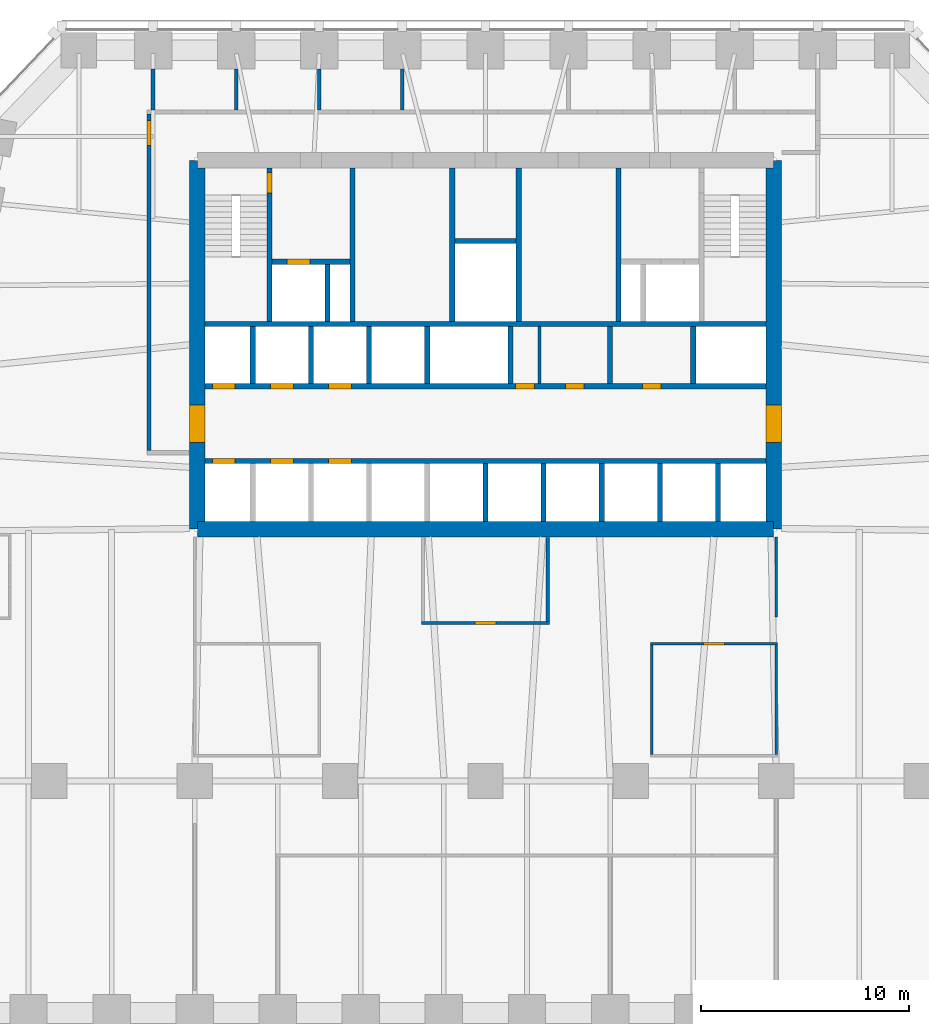
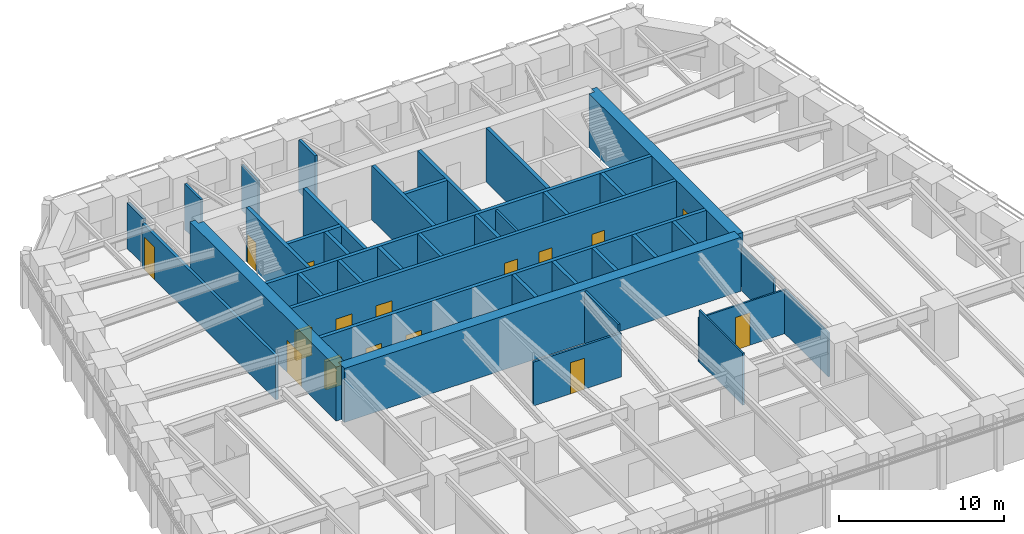
# One storey, part 6 of 9: 38 walls, 16 doors, 16 openings.
"""IFC4 building model written with IfcOpenShell, lengths in metres."""

from ifc_helpers import new_model, si_unit, direction, frame, frame_2d, origin, place, context, subcontext, project, spatial, polyline, rectangle, outline, extrude, material, layer, layer_set, type_object, element, fill, save


model = new_model("IFC4")

# Units and contexts
model_context = context("Model", 3, precision=1e-05, world=origin(), true_north=direction((0.0, 1.0)))
body_context = subcontext(model_context, "Body", "Model", "MODEL_VIEW")
ifc_project = project(units=[si_unit("LENGTHUNIT", "METRE"), si_unit("AREAUNIT", "SQUARE_METRE"), si_unit("VOLUMEUNIT", "CUBIC_METRE"), si_unit("PLANEANGLEUNIT", "RADIAN"), si_unit("MASSUNIT", "GRAM", prefix="KILO")], contexts=[model_context])

# Site, building, storey
site_placement = place(None, origin())
site = spatial("IfcSite", under=ifc_project, at=site_placement, CompositionType="ELEMENT")
building_placement = place(site_placement, origin())
building = spatial("IfcBuilding", under=site, at=building_placement, Name="Isbrekke Arena Tower", CompositionType="ELEMENT")
storey_placement = place(building_placement, frame((0.0, 0.0, 135.0)))
storey = spatial("IfcBuildingStorey", under=building, at=storey_placement, Name="L30", CompositionType="ELEMENT", Elevation=135.0)

# Wall
ifc_material_1 = material(Name="Concrete B55 (C55/67)", Category="concrete")
ifc_layer_1 = layer(ifc_material_1, 0.75)
ifc_layer_set_1 = layer_set([ifc_layer_1], Name="CW3 CORE WALL 750")
wall_type_1 = type_object("IfcWallType", Name="CW3 CORE WALL 750", PredefinedType="SHEAR", material=ifc_layer_set_1)
wall_1_placement = place(storey_placement, frame((-13.875, 6.125, 0.0), z_axis=(0.0, 0.0, 1.0), x_axis=(1.0, 0.0, 0.0)))
element("IfcWall", 1, at=wall_1_placement, inside=storey, type_object=wall_type_1, Name="Core wall S L30", PredefinedType="SHEAR", context=body_context, shape_type="SweptSolid", body=[
    extrude(rectangle(XDim=27.75, YDim=0.75, at=frame_2d((13.875, 0.0))), origin(), (0.0, 0.0, 1.0), 4.0),
])

# Wall, opening, door
wall_2_placement = place(storey_placement, frame((13.875, 6.125, 0.0), z_axis=(0.0, 0.0, 1.0), x_axis=(0.0, 1.0, 0.0)))
wall_2 = element("IfcWall", 2, at=wall_2_placement, inside=storey, type_object=wall_type_1, Name="Core wall E L30", PredefinedType="SHEAR", context=body_context, shape_type="SweptSolid", body=[
    extrude(outline(polyline([(0.0, -0.375), (17.75, -0.375), (17.75, 0.0), (17.375, 0.0), (17.375, 0.375), (0.375, 0.375), (0.375, 0.0), (0.0, 0.0), (0.0, -0.375)])), origin(), (0.0, 0.0, 1.0), 4.0),
])
opening_1_placement = place(wall_2_placement, frame((4.175048828125, 0.0, 0.0)))
opening_1 = element("IfcOpeningElement", 3, at=opening_1_placement, cuts=wall_2, Name="Opening D1", PredefinedType="OPENING", context=body_context, shape_type="SweptSolid", body=[
    extrude(rectangle(XDim=1.800048828125, YDim=2.39990234375, at=frame_2d((0.89990234375, 1.199951171875))), frame((0.0, 0.389892578125, 0.0), z_axis=(0.0, -1.0, 0.0), x_axis=(1.0, 0.0, 0.0)), (0.0, 0.0, 1.0), 0.77978515625),
])
ifc_material_2 = material(Name="Steel-framed glazed fire door", Category="steel")
door_type_1 = type_object("IfcDoorType", Name="D1 CORE LOBBY DOOR 1800 x 2400", OperationType="DOUBLE_DOOR_SINGLE_SWING", PredefinedType="DOOR", material=ifc_material_2)
door_1_placement = place(opening_1_placement, origin())
door_1 = element("IfcDoor", 4, at=door_1_placement, inside=storey, type_object=door_type_1, Name="D1 lift lobby door east L30", OperationType="DOUBLE_DOOR_SINGLE_SWING", OverallHeight=2.39990234375, OverallWidth=1.800048828125, PredefinedType="DOOR", context=body_context, shape_type="SweptSolid", body=[
    extrude(rectangle(XDim=1.800048828125, YDim=2.39990234375, at=frame_2d((0.89990234375, 1.199951171875))), frame((0.0, 0.374755859375, 0.0), z_axis=(0.0, -1.0, 0.0), x_axis=(1.0, 0.0, 0.0)), (0.0, 0.0, 1.0), 0.74951171875),
])
fill(opening_1, door_1)

wall_3_placement = place(storey_placement, frame((-13.875, 23.875, 0.0), z_axis=(0.0, 0.0, 1.0), x_axis=(0.0, -1.0, 0.0)))
wall_3 = element("IfcWall", 5, at=wall_3_placement, inside=storey, type_object=wall_type_1, Name="Core wall W L30", PredefinedType="SHEAR", context=body_context, shape_type="SweptSolid", body=[
    extrude(outline(polyline([(0.0, -0.375), (17.75, -0.375), (17.75, 0.0), (17.375, 0.0), (17.375, 0.375), (0.375, 0.375), (0.375, 0.0), (0.0, 0.0), (0.0, -0.375)])), origin(), (0.0, 0.0, 1.0), 4.0),
])
opening_2_placement = place(wall_3_placement, frame((11.77490234375, 0.0, 0.0)))
opening_2 = element("IfcOpeningElement", 6, at=opening_2_placement, cuts=wall_3, Name="Opening D1", PredefinedType="OPENING", context=body_context, shape_type="SweptSolid", body=[
    extrude(rectangle(XDim=1.800048828125, YDim=2.39990234375, at=frame_2d((0.89990234375, 1.199951171875))), frame((0.0, 0.389892578125, 0.0), z_axis=(0.0, -1.0, 0.0), x_axis=(1.0, 0.0, 0.0)), (0.0, 0.0, 1.0), 0.77978515625),
])
door_2_placement = place(opening_2_placement, origin())
door_2 = element("IfcDoor", 7, at=door_2_placement, inside=storey, type_object=door_type_1, Name="D1 lift lobby door west L30", OperationType="DOUBLE_DOOR_SINGLE_SWING", OverallHeight=2.39990234375, OverallWidth=1.800048828125, PredefinedType="DOOR", context=body_context, shape_type="SweptSolid", body=[
    extrude(rectangle(XDim=1.800048828125, YDim=2.39990234375, at=frame_2d((0.89990234375, 1.199951171875))), frame((0.0, 0.374755859375, 0.0), z_axis=(0.0, -1.0, 0.0), x_axis=(1.0, 0.0, 0.0)), (0.0, 0.0, 1.0), 0.74951171875),
])
fill(opening_2, door_2)

# Wall, openings, doors
ifc_material_3 = material(Name="Concrete B45 (C45/55)", Category="concrete")
ifc_layer_2 = layer(ifc_material_3, 0.25)
ifc_layer_set_2 = layer_set([ifc_layer_2], Name="CW6 SHAFT WALL 250")
wall_type_2 = type_object("IfcWallType", Name="CW6 SHAFT WALL 250", PredefinedType="SHEAR", material=ifc_layer_set_2)
wall_4_placement = place(storey_placement, frame((-13.5, 9.39990234375, 0.0), z_axis=(0.0, 0.0, 1.0), x_axis=(1.0, 0.0, 0.0)))
wall_4 = element("IfcWall", 8, at=wall_4_placement, inside=storey, type_object=wall_type_2, Name="Core wall LS L30", PredefinedType="SHEAR", context=body_context, shape_type="SweptSolid", body=[
    extrude(rectangle(XDim=27.0, YDim=0.25, at=frame_2d((13.5, 0.0))), origin(), (0.0, 0.0, 1.0), 4.0),
])
opening_3_placement = place(wall_4_placement, frame((0.35009765625, 0.0, 0.0)))
opening_3 = element("IfcOpeningElement", 9, at=opening_3_placement, cuts=wall_4, Name="Opening LD1", PredefinedType="OPENING", context=body_context, shape_type="SweptSolid", body=[
    extrude(rectangle(XDim=1.10009765625, YDim=2.10009765625, at=frame_2d((0.550048828125, 1.050048828125))), frame((0.0, 0.139892578125, 0.0), z_axis=(0.0, -1.0, 0.0), x_axis=(1.0, 0.0, 0.0)), (0.0, 0.0, 1.0), 0.27978515625),
])
opening_4_placement = place(wall_4_placement, frame((3.14990234375, 0.0, 0.0)))
opening_4 = element("IfcOpeningElement", 10, at=opening_4_placement, cuts=wall_4, Name="Opening LD1", PredefinedType="OPENING", context=body_context, shape_type="SweptSolid", body=[
    extrude(rectangle(XDim=1.10009765625, YDim=2.10009765625, at=frame_2d((0.550048828125, 1.050048828125))), frame((0.0, 0.139892578125, 0.0), z_axis=(0.0, -1.0, 0.0), x_axis=(1.0, 0.0, 0.0)), (0.0, 0.0, 1.0), 0.27978515625),
])
opening_5_placement = place(wall_4_placement, frame((5.949951171875, 0.0, 0.0)))
opening_5 = element("IfcOpeningElement", 11, at=opening_5_placement, cuts=wall_4, Name="Opening LD1", PredefinedType="OPENING", context=body_context, shape_type="SweptSolid", body=[
    extrude(rectangle(XDim=1.10009765625, YDim=2.10009765625, at=frame_2d((0.550048828125, 1.050048828125))), frame((0.0, 0.139892578125, 0.0), z_axis=(0.0, -1.0, 0.0), x_axis=(1.0, 0.0, 0.0)), (0.0, 0.0, 1.0), 0.27978515625),
])
ifc_material_4 = material(Name="Stainless steel lift landing door", Category="steel")
door_type_2 = type_object("IfcDoorType", Name="LD1 LIFT LANDING DOOR 1100 x 2100", OperationType="SLIDING_TO_LEFT", PredefinedType="DOOR", material=ifc_material_4)
door_3_placement = place(opening_3_placement, origin())
door_3 = element("IfcDoor", 12, at=door_3_placement, inside=storey, type_object=door_type_2, Name="LD1 lift landing door LB L30", OperationType="SLIDING_TO_LEFT", OverallHeight=2.10009765625, OverallWidth=1.10009765625, PredefinedType="DOOR", context=body_context, shape_type="SweptSolid", body=[
    extrude(rectangle(XDim=1.10009765625, YDim=2.10009765625, at=frame_2d((0.550048828125, 1.050048828125))), frame((0.0, 0.124755859375, 0.0), z_axis=(0.0, -1.0, 0.0), x_axis=(1.0, 0.0, 0.0)), (0.0, 0.0, 1.0), 0.24951171875),
])
fill(opening_3, door_3)
door_4_placement = place(opening_4_placement, origin())
door_4 = element("IfcDoor", 13, at=door_4_placement, inside=storey, type_object=door_type_2, Name="LD1 lift landing door LB L30", OperationType="SLIDING_TO_LEFT", OverallHeight=2.10009765625, OverallWidth=1.10009765625, PredefinedType="DOOR", context=body_context, shape_type="SweptSolid", body=[
    extrude(rectangle(XDim=1.10009765625, YDim=2.10009765625, at=frame_2d((0.550048828125, 1.050048828125))), frame((0.0, 0.124755859375, 0.0), z_axis=(0.0, -1.0, 0.0), x_axis=(1.0, 0.0, 0.0)), (0.0, 0.0, 1.0), 0.24951171875),
])
fill(opening_4, door_4)
door_5_placement = place(opening_5_placement, origin())
door_5 = element("IfcDoor", 14, at=door_5_placement, inside=storey, type_object=door_type_2, Name="LD1 lift landing door LB L30", OperationType="SLIDING_TO_LEFT", OverallHeight=2.10009765625, OverallWidth=1.10009765625, PredefinedType="DOOR", context=body_context, shape_type="SweptSolid", body=[
    extrude(rectangle(XDim=1.10009765625, YDim=2.10009765625, at=frame_2d((0.550048828125, 1.050048828125))), frame((0.0, 0.124755859375, 0.0), z_axis=(0.0, -1.0, 0.0), x_axis=(1.0, 0.0, 0.0)), (0.0, 0.0, 1.0), 0.24951171875),
])
fill(opening_5, door_5)

wall_5_placement = place(storey_placement, frame((-13.5, 13.0, 0.0), z_axis=(0.0, 0.0, 1.0), x_axis=(1.0, 0.0, 0.0)))
wall_5 = element("IfcWall", 15, at=wall_5_placement, inside=storey, type_object=wall_type_2, Name="Core wall LN L30", PredefinedType="SHEAR", context=body_context, shape_type="SweptSolid", body=[
    extrude(rectangle(XDim=27.0, YDim=0.25, at=frame_2d((13.5, 0.0))), origin(), (0.0, 0.0, 1.0), 4.0),
])
opening_6_placement = place(wall_5_placement, frame((0.35009765625, 0.0, 0.0)))
opening_6 = element("IfcOpeningElement", 16, at=opening_6_placement, cuts=wall_5, Name="Opening LD1", PredefinedType="OPENING", context=body_context, shape_type="SweptSolid", body=[
    extrude(rectangle(XDim=1.10009765625, YDim=2.10009765625, at=frame_2d((0.550048828125, 1.050048828125))), frame((0.0, 0.139892578125, 0.0), z_axis=(0.0, -1.0, 0.0), x_axis=(1.0, 0.0, 0.0)), (0.0, 0.0, 1.0), 0.27978515625),
])
opening_7_placement = place(wall_5_placement, frame((3.14990234375, 0.0, 0.0)))
opening_7 = element("IfcOpeningElement", 17, at=opening_7_placement, cuts=wall_5, Name="Opening LD1", PredefinedType="OPENING", context=body_context, shape_type="SweptSolid", body=[
    extrude(rectangle(XDim=1.10009765625, YDim=2.10009765625, at=frame_2d((0.550048828125, 1.050048828125))), frame((0.0, 0.139892578125, 0.0), z_axis=(0.0, -1.0, 0.0), x_axis=(1.0, 0.0, 0.0)), (0.0, 0.0, 1.0), 0.27978515625),
])
opening_8_placement = place(wall_5_placement, frame((5.949951171875, 0.0, 0.0)))
opening_8 = element("IfcOpeningElement", 18, at=opening_8_placement, cuts=wall_5, Name="Opening LD1", PredefinedType="OPENING", context=body_context, shape_type="SweptSolid", body=[
    extrude(rectangle(XDim=1.10009765625, YDim=2.10009765625, at=frame_2d((0.550048828125, 1.050048828125))), frame((0.0, 0.139892578125, 0.0), z_axis=(0.0, -1.0, 0.0), x_axis=(1.0, 0.0, 0.0)), (0.0, 0.0, 1.0), 0.27978515625),
])
opening_9_placement = place(wall_5_placement, frame((14.949951171875, 0.0, 0.0)))
opening_9 = element("IfcOpeningElement", 19, at=opening_9_placement, cuts=wall_5, Name="Opening D5", PredefinedType="OPENING", context=body_context, shape_type="SweptSolid", body=[
    extrude(rectangle(XDim=0.89990234375, YDim=2.10009765625, at=frame_2d((0.449951171875, 1.050048828125))), frame((0.0, 0.139892578125, 0.0), z_axis=(0.0, -1.0, 0.0), x_axis=(1.0, 0.0, 0.0)), (0.0, 0.0, 1.0), 0.27978515625),
])
opening_10_placement = place(wall_5_placement, frame((17.35009765625, 0.0, 0.0)))
opening_10 = element("IfcOpeningElement", 20, at=opening_10_placement, cuts=wall_5, Name="Opening D5", PredefinedType="OPENING", context=body_context, shape_type="SweptSolid", body=[
    extrude(rectangle(XDim=0.89990234375, YDim=2.10009765625, at=frame_2d((0.449951171875, 1.050048828125))), frame((0.0, 0.139892578125, 0.0), z_axis=(0.0, -1.0, 0.0), x_axis=(1.0, 0.0, 0.0)), (0.0, 0.0, 1.0), 0.27978515625),
])
opening_11_placement = place(wall_5_placement, frame((21.050048828125, 0.0, 0.0)))
opening_11 = element("IfcOpeningElement", 21, at=opening_11_placement, cuts=wall_5, Name="Opening D5", PredefinedType="OPENING", context=body_context, shape_type="SweptSolid", body=[
    extrude(rectangle(XDim=0.89990234375, YDim=2.10009765625, at=frame_2d((0.449951171875, 1.050048828125))), frame((0.0, 0.139892578125, 0.0), z_axis=(0.0, -1.0, 0.0), x_axis=(1.0, 0.0, 0.0)), (0.0, 0.0, 1.0), 0.27978515625),
])
ifc_material_5 = material(Name="Steel fire door", Category="steel")
door_type_3 = type_object("IfcDoorType", Name="D5 SERVICE DOOR 900 x 2100", OperationType="SINGLE_SWING_LEFT", PredefinedType="DOOR", material=ifc_material_5)
door_6_placement = place(opening_9_placement, origin())
door_6 = element("IfcDoor", 22, at=door_6_placement, inside=storey, type_object=door_type_3, Name="D5 communications room door L30", OperationType="SINGLE_SWING_LEFT", OverallHeight=2.10009765625, OverallWidth=0.89990234375, PredefinedType="DOOR", context=body_context, shape_type="SweptSolid", body=[
    extrude(rectangle(XDim=0.89990234375, YDim=2.10009765625, at=frame_2d((0.449951171875, 1.050048828125))), frame((0.0, 0.124755859375, 0.0), z_axis=(0.0, -1.0, 0.0), x_axis=(1.0, 0.0, 0.0)), (0.0, 0.0, 1.0), 0.24951171875),
])
fill(opening_9, door_6)
door_7_placement = place(opening_10_placement, origin())
door_7 = element("IfcDoor", 23, at=door_7_placement, inside=storey, type_object=door_type_3, Name="D5 meeting room door L30", OperationType="SINGLE_SWING_LEFT", OverallHeight=2.10009765625, OverallWidth=0.89990234375, PredefinedType="DOOR", context=body_context, shape_type="SweptSolid", body=[
    extrude(rectangle(XDim=0.89990234375, YDim=2.10009765625, at=frame_2d((0.449951171875, 1.050048828125))), frame((0.0, 0.124755859375, 0.0), z_axis=(0.0, -1.0, 0.0), x_axis=(1.0, 0.0, 0.0)), (0.0, 0.0, 1.0), 0.24951171875),
])
fill(opening_10, door_7)
door_8_placement = place(opening_11_placement, origin())
door_8 = element("IfcDoor", 24, at=door_8_placement, inside=storey, type_object=door_type_3, Name="D5 cleaner's store door L30", OperationType="SINGLE_SWING_LEFT", OverallHeight=2.10009765625, OverallWidth=0.89990234375, PredefinedType="DOOR", context=body_context, shape_type="SweptSolid", body=[
    extrude(rectangle(XDim=0.89990234375, YDim=2.10009765625, at=frame_2d((0.449951171875, 1.050048828125))), frame((0.0, 0.124755859375, 0.0), z_axis=(0.0, -1.0, 0.0), x_axis=(1.0, 0.0, 0.0)), (0.0, 0.0, 1.0), 0.24951171875),
])
fill(opening_11, door_8)
door_9_placement = place(opening_6_placement, origin())
door_9 = element("IfcDoor", 25, at=door_9_placement, inside=storey, type_object=door_type_2, Name="LD1 lift landing door LB L30", OperationType="SLIDING_TO_LEFT", OverallHeight=2.10009765625, OverallWidth=1.10009765625, PredefinedType="DOOR", context=body_context, shape_type="SweptSolid", body=[
    extrude(rectangle(XDim=1.10009765625, YDim=2.10009765625, at=frame_2d((0.550048828125, 1.050048828125))), frame((0.0, 0.124755859375, 0.0), z_axis=(0.0, -1.0, 0.0), x_axis=(1.0, 0.0, 0.0)), (0.0, 0.0, 1.0), 0.24951171875),
])
fill(opening_6, door_9)
door_10_placement = place(opening_7_placement, origin())
door_10 = element("IfcDoor", 26, at=door_10_placement, inside=storey, type_object=door_type_2, Name="LD1 lift landing door LB L30", OperationType="SLIDING_TO_LEFT", OverallHeight=2.10009765625, OverallWidth=1.10009765625, PredefinedType="DOOR", context=body_context, shape_type="SweptSolid", body=[
    extrude(rectangle(XDim=1.10009765625, YDim=2.10009765625, at=frame_2d((0.550048828125, 1.050048828125))), frame((0.0, 0.124755859375, 0.0), z_axis=(0.0, -1.0, 0.0), x_axis=(1.0, 0.0, 0.0)), (0.0, 0.0, 1.0), 0.24951171875),
])
fill(opening_7, door_10)
door_11_placement = place(opening_8_placement, origin())
door_11 = element("IfcDoor", 27, at=door_11_placement, inside=storey, type_object=door_type_2, Name="LD1 lift landing door LB L30", OperationType="SLIDING_TO_LEFT", OverallHeight=2.10009765625, OverallWidth=1.10009765625, PredefinedType="DOOR", context=body_context, shape_type="SweptSolid", body=[
    extrude(rectangle(XDim=1.10009765625, YDim=2.10009765625, at=frame_2d((0.550048828125, 1.050048828125))), frame((0.0, 0.124755859375, 0.0), z_axis=(0.0, -1.0, 0.0), x_axis=(1.0, 0.0, 0.0)), (0.0, 0.0, 1.0), 0.24951171875),
])
fill(opening_8, door_11)

# Walls
wall_6_placement = place(storey_placement, frame((-13.5, 16.0, 0.0), z_axis=(0.0, 0.0, 1.0), x_axis=(1.0, 0.0, 0.0)))
element("IfcWall", 28, at=wall_6_placement, inside=storey, type_object=wall_type_2, Name="Core wall NB L30", PredefinedType="SHEAR", context=body_context, shape_type="SweptSolid", body=[
    extrude(rectangle(XDim=27.0, YDim=0.25, at=frame_2d((13.5, 0.0))), origin(), (0.0, 0.0, 1.0), 4.0),
])
for number, where, z_axis, x_axis, name in (
    (29, (0.0, 6.5, 0.0), (0.0, 0.0, 1.0), (0.0, 1.0, 0.0), "Core wall SS05 L30"),
    (30, (2.800048828125, 6.5, 0.0), (0.0, 0.0, 1.0), (0.0, 1.0, 0.0), "Core wall SS06 L30"),
    (31, (5.60009765625, 6.5, 0.0), (0.0, 0.0, 1.0), (0.0, 1.0, 0.0), "Core wall SS07 L30"),
    (32, (8.39990234375, 6.5, 0.0), (0.0, 0.0, 1.0), (0.0, 1.0, 0.0), "Core wall SS08 L30"),
    (33, (11.199951171875, 6.5, 0.0), (0.0, 0.0, 1.0), (0.0, 1.0, 0.0), "Core wall SS09 L30"),
):
    element("IfcWall", number, at=place(storey_placement, frame(where, z_axis=z_axis, x_axis=x_axis)), inside=storey, type_object=wall_type_2, Name=name, PredefinedType="SHEAR", context=body_context, shape_type="SweptSolid", body=[
        extrude(rectangle(XDim=2.77490234375, YDim=0.25, at=frame_2d((1.387451171875, 0.0))), origin(), (0.0, 0.0, 1.0), 4.0),
    ])
for number, where, z_axis, x_axis, name in (
    (34, (-11.199951171875, 13.125, 0.0), (0.0, 0.0, 1.0), (0.0, 1.0, 0.0), "Core wall SN01 L30"),
    (35, (-8.39990234375, 13.125, 0.0), (0.0, 0.0, 1.0), (0.0, 1.0, 0.0), "Core wall SN02 L30"),
    (36, (-5.60009765625, 13.125, 0.0), (0.0, 0.0, 1.0), (0.0, 1.0, 0.0), "Core wall SN03 L30"),
    (37, (-2.800048828125, 13.125, 0.0), (0.0, 0.0, 1.0), (0.0, 1.0, 0.0), "Core wall SN04 L30"),
    (38, (1.199951171875, 13.125, 0.0), (0.0, 0.0, 1.0), (0.0, 1.0, 0.0), "Core wall SN05 L30"),
    (39, (6.0, 13.125, 0.0), (0.0, 0.0, 1.0), (0.0, 1.0, 0.0), "Core wall SN06 L30"),
    (40, (10.0, 13.125, 0.0), (0.0, 0.0, 1.0), (0.0, 1.0, 0.0), "Core wall SN07 L30"),
):
    element("IfcWall", number, at=place(storey_placement, frame(where, z_axis=z_axis, x_axis=x_axis)), inside=storey, type_object=wall_type_2, Name=name, PredefinedType="SHEAR", context=body_context, shape_type="SweptSolid", body=[
        extrude(rectangle(XDim=2.75, YDim=0.25, at=frame_2d((1.375, 0.0))), origin(), (0.0, 0.0, 1.0), 4.0),
    ])

# Wall, opening, door
wall_7_placement = place(storey_placement, frame((-10.39990234375, 16.125, 0.0), z_axis=(0.0, 0.0, 1.0), x_axis=(0.0, 1.0, 0.0)))
wall_7 = element("IfcWall", 41, at=wall_7_placement, inside=storey, type_object=wall_type_2, Name="Core wall NV01 L30", PredefinedType="SHEAR", context=body_context, shape_type="SweptSolid", body=[
    extrude(rectangle(XDim=7.375, YDim=0.25, at=frame_2d((3.6875, 0.0))), origin(), (0.0, 0.0, 1.0), 4.0),
])
opening_12_placement = place(wall_7_placement, frame((6.175048828125, 0.0, 0.0)))
opening_12 = element("IfcOpeningElement", 42, at=opening_12_placement, cuts=wall_7, Name="Opening D2", PredefinedType="OPENING", context=body_context, shape_type="SweptSolid", body=[
    extrude(rectangle(XDim=1.0, YDim=2.10009765625, at=frame_2d((0.5, 1.050048828125))), frame((0.0, 0.139892578125, 0.0), z_axis=(0.0, -1.0, 0.0), x_axis=(1.0, 0.0, 0.0)), (0.0, 0.0, 1.0), 0.27978515625),
])
ifc_material_6 = material(Name="Steel fire door", Category="steel")
door_type_4 = type_object("IfcDoorType", Name="D2 STAIR DOOR 1000 x 2100", OperationType="SINGLE_SWING_LEFT", PredefinedType="DOOR", material=ifc_material_6)
door_12_placement = place(opening_12_placement, origin())
door_12 = element("IfcDoor", 43, at=door_12_placement, inside=storey, type_object=door_type_4, Name="D2 stair door ST1 L30", OperationType="SINGLE_SWING_LEFT", OverallHeight=2.10009765625, OverallWidth=1.0, PredefinedType="DOOR", context=body_context, shape_type="SweptSolid", body=[
    extrude(rectangle(XDim=1.0, YDim=2.10009765625, at=frame_2d((0.5, 1.050048828125))), frame((0.0, 0.124755859375, 0.0), z_axis=(0.0, -1.0, 0.0), x_axis=(1.0, 0.0, 0.0)), (0.0, 0.0, 1.0), 0.24951171875),
])
fill(opening_12, door_12)

# Walls
for number, where, z_axis, x_axis, name in (
    (44, (-6.39990234375, 16.125, 0.0), (0.0, 0.0, 1.0), (0.0, 1.0, 0.0), "Core wall NV02 L30"),
    (45, (-1.60009765625, 16.125, 0.0), (0.0, 0.0, 1.0), (0.0, 1.0, 0.0), "Core wall NV03 L30"),
    (46, (1.60009765625, 16.125, 0.0), (0.0, 0.0, 1.0), (0.0, 1.0, 0.0), "Core wall NV04 L30"),
    (47, (6.39990234375, 16.125, 0.0), (0.0, 0.0, 1.0), (0.0, 1.0, 0.0), "Core wall NV05 L30"),
):
    element("IfcWall", number, at=place(storey_placement, frame(where, z_axis=z_axis, x_axis=x_axis)), inside=storey, type_object=wall_type_2, Name=name, PredefinedType="SHEAR", context=body_context, shape_type="SweptSolid", body=[
        extrude(rectangle(XDim=7.375, YDim=0.25, at=frame_2d((3.6875, 0.0))), origin(), (0.0, 0.0, 1.0), 4.0),
    ])

# Wall, opening, door
wall_8_placement = place(storey_placement, frame((-10.27490234375, 19.0, 0.0), z_axis=(0.0, 0.0, 1.0), x_axis=(1.0, 0.0, 0.0)))
wall_8 = element("IfcWall", 48, at=wall_8_placement, inside=storey, type_object=wall_type_2, Name="Core wall NFW L30", PredefinedType="SHEAR", context=body_context, shape_type="SweptSolid", body=[
    extrude(rectangle(XDim=3.75, YDim=0.25, at=frame_2d((1.875, 0.0))), origin(), (0.0, 0.0, 1.0), 4.0),
])
opening_13_placement = place(wall_8_placement, frame((0.72509765625, 0.0, 0.0)))
opening_13 = element("IfcOpeningElement", 49, at=opening_13_placement, cuts=wall_8, Name="Opening LD2", PredefinedType="OPENING", context=body_context, shape_type="SweptSolid", body=[
    extrude(rectangle(XDim=1.10009765625, YDim=2.10009765625, at=frame_2d((0.550048828125, 1.050048828125))), frame((0.0, 0.139892578125, 0.0), z_axis=(0.0, -1.0, 0.0), x_axis=(1.0, 0.0, 0.0)), (0.0, 0.0, 1.0), 0.27978515625),
])
ifc_material_7 = material(Name="Stainless steel lift landing door", Category="steel")
door_type_5 = type_object("IfcDoorType", Name="LD2 FIRE-FIGHTING LIFT LANDING DOOR 1100 x 2100", OperationType="SLIDING_TO_RIGHT", PredefinedType="DOOR", material=ifc_material_7)
door_13_placement = place(opening_13_placement, origin())
door_13 = element("IfcDoor", 50, at=door_13_placement, inside=storey, type_object=door_type_5, Name="LD2 lift landing door LF L30", OperationType="SLIDING_TO_RIGHT", OverallHeight=2.10009765625, OverallWidth=1.10009765625, PredefinedType="DOOR", context=body_context, shape_type="SweptSolid", body=[
    extrude(rectangle(XDim=1.10009765625, YDim=2.10009765625, at=frame_2d((0.550048828125, 1.050048828125))), frame((0.0, 0.124755859375, 0.0), z_axis=(0.0, -1.0, 0.0), x_axis=(1.0, 0.0, 0.0)), (0.0, 0.0, 1.0), 0.24951171875),
])
fill(opening_13, door_13)

# Walls
wall_9_placement = place(storey_placement, frame((-7.60009765625, 16.125, 0.0), z_axis=(0.0, 0.0, 1.0), x_axis=(0.0, 1.0, 0.0)))
element("IfcWall", 51, at=wall_9_placement, inside=storey, type_object=wall_type_2, Name="Core wall NFS1 L30", PredefinedType="SHEAR", context=body_context, shape_type="SweptSolid", body=[
    extrude(rectangle(XDim=2.75, YDim=0.25, at=frame_2d((1.375, 0.0))), origin(), (0.0, 0.0, 1.0), 4.0),
])
wall_10_placement = place(storey_placement, frame((-1.47509765625, 20.0, 0.0), z_axis=(0.0, 0.0, 1.0), x_axis=(1.0, 0.0, 0.0)))
element("IfcWall", 52, at=wall_10_placement, inside=storey, type_object=wall_type_2, Name="Core wall NWC L30", PredefinedType="SHEAR", context=body_context, shape_type="SweptSolid", body=[
    extrude(rectangle(XDim=2.9501953125, YDim=0.25, at=frame_2d((1.47509765625, 0.0))), origin(), (0.0, 0.0, 1.0), 4.0),
])

# Wall, opening, door
ifc_material_8 = material(Name="Gypsum board partition on steel studs", Category="steel")
ifc_layer_3 = layer(ifc_material_8, 0.14990234375)
ifc_layer_set_3 = layer_set([ifc_layer_3], Name="IW1 PARTITION 150")
wall_type_3 = type_object("IfcWallType", Name="IW1 PARTITION 150", PredefinedType="PARTITIONING", material=ifc_layer_set_3)
wall_11_placement = place(storey_placement, frame((-3.074951171875, 1.60009765625, 0.0), z_axis=(0.0, 0.0, 1.0), x_axis=(1.0, 0.0, 0.0)))
wall_11 = element("IfcWall", 53, at=wall_11_placement, inside=storey, type_object=wall_type_3, Name="IW1 partition 150 L30", PredefinedType="PARTITIONING", context=body_context, shape_type="SweptSolid", body=[
    extrude(rectangle(XDim=6.14990234375, YDim=0.14990234375, at=frame_2d((3.074951171875, 0.0))), origin(), (0.0, 0.0, 1.0), 3.25),
])
opening_14_placement = place(wall_11_placement, frame((2.574951171875, 0.0, 0.0)))
opening_14 = element("IfcOpeningElement", 54, at=opening_14_placement, cuts=wall_11, Name="Opening D10", PredefinedType="OPENING", context=body_context, shape_type="SweptSolid", body=[
    extrude(rectangle(XDim=1.0, YDim=2.300048828125, at=frame_2d((0.5, 1.14990234375))), frame((0.0, 0.08984375, 0.0), z_axis=(0.0, -1.0, 0.0), x_axis=(1.0, 0.0, 0.0)), (0.0, 0.0, 1.0), 0.1796875),
])
ifc_material_9 = material(Name="Timber door", Category="wood")
door_type_6 = type_object("IfcDoorType", Name="D10 OFFICE DOOR 1000 x 2300", OperationType="SINGLE_SWING_LEFT", PredefinedType="DOOR", material=ifc_material_9)
door_14_placement = place(opening_14_placement, origin())
door_14 = element("IfcDoor", 55, at=door_14_placement, inside=storey, type_object=door_type_6, Name="D10 print room door L30", OperationType="SINGLE_SWING_LEFT", OverallHeight=2.300048828125, OverallWidth=1.0, PredefinedType="DOOR", context=body_context, shape_type="SweptSolid", body=[
    extrude(rectangle(XDim=1.0, YDim=2.300048828125, at=frame_2d((0.5, 1.14990234375))), frame((0.0, 0.07470703125, 0.0), z_axis=(0.0, -1.0, 0.0), x_axis=(1.0, 0.0, 0.0)), (0.0, 0.0, 1.0), 0.1494140625),
])
fill(opening_14, door_14)

# Walls
for number, where, z_axis, x_axis, name in (
    (56, (-12.0, 26.300048828125, 0.0), (0.0, 0.0, 1.0), (0.0, 1.0, 0.0), "IW1 partition 150 L30"),
    (57, (-8.0, 26.300048828125, 0.0), (0.0, 0.0, 1.0), (0.0, 1.0, 0.0), "IW1 partition 150 L30"),
):
    element("IfcWall", number, at=place(storey_placement, frame(where, z_axis=z_axis, x_axis=x_axis)), inside=storey, type_object=wall_type_3, Name=name, PredefinedType="PARTITIONING", context=body_context, shape_type="SweptSolid", body=[
        extrude(rectangle(XDim=1.974853515625, YDim=0.14990234375, at=frame_2d((0.9873046875, 0.0))), origin(), (0.0, 0.0, 1.0), 3.39990234375),
    ])
wall_12_placement = place(storey_placement, frame((3.0, 1.675048828125, 0.0), z_axis=(0.0, 0.0, 1.0), x_axis=(0.0, 1.0, 0.0)))
element("IfcWall", 58, at=wall_12_placement, inside=storey, type_object=wall_type_3, Name="IW1 partition 150 L30", PredefinedType="PARTITIONING", context=body_context, shape_type="SweptSolid", body=[
    extrude(rectangle(XDim=4.044921875, YDim=0.14990234375, at=frame_2d((2.0224609375, 0.0))), origin(), (0.0, 0.0, 1.0), 3.85009765625),
])

# Wall, opening, door
ifc_material_10 = material(Name="Frameless glazed partition, laminated acoustic glass", Category="glass")
ifc_layer_4 = layer(ifc_material_10, 0.1201171875)
ifc_layer_set_4 = layer_set([ifc_layer_4], Name="IW2 GLAZED PARTITION 120")
wall_type_4 = type_object("IfcWallType", Name="IW2 GLAZED PARTITION 120", PredefinedType="PARTITIONING", material=ifc_layer_set_4)
wall_13_placement = place(storey_placement, frame((7.93994140625, 0.60009765625, 0.0), z_axis=(0.0, 0.0, 1.0), x_axis=(1.0, 0.0, 0.0)))
wall_13 = element("IfcWall", 59, at=wall_13_placement, inside=storey, type_object=wall_type_4, Name="IW2 glazed partition 120 L30", PredefinedType="PARTITIONING", context=body_context, shape_type="SweptSolid", body=[
    extrude(rectangle(XDim=6.1201171875, YDim=0.1201171875, at=frame_2d((3.06005859375, 0.0))), origin(), (0.0, 0.0, 1.0), 3.25),
])
opening_15_placement = place(wall_13_placement, frame((2.56005859375, 0.0, 0.0)))
opening_15 = element("IfcOpeningElement", 60, at=opening_15_placement, cuts=wall_13, Name="Opening D11", PredefinedType="OPENING", context=body_context, shape_type="SweptSolid", body=[
    extrude(rectangle(XDim=1.0, YDim=2.39990234375, at=frame_2d((0.5, 1.199951171875))), frame((0.0, 0.074951171875, 0.0), z_axis=(0.0, -1.0, 0.0), x_axis=(1.0, 0.0, 0.0)), (0.0, 0.0, 1.0), 0.14990234375),
])
ifc_material_11 = material(Name="Frameless glazed door", Category="glass")
door_type_7 = type_object("IfcDoorType", Name="D11 GLAZED MEETING ROOM DOOR 1000 x 2400", OperationType="SINGLE_SWING_RIGHT", PredefinedType="DOOR", material=ifc_material_11)
door_15_placement = place(opening_15_placement, origin())
door_15 = element("IfcDoor", 61, at=door_15_placement, inside=storey, type_object=door_type_7, Name="D11 meeting room door L30", OperationType="SINGLE_SWING_RIGHT", OverallHeight=2.39990234375, OverallWidth=1.0, PredefinedType="DOOR", context=body_context, shape_type="SweptSolid", body=[
    extrude(rectangle(XDim=1.0, YDim=2.39990234375, at=frame_2d((0.5, 1.199951171875))), frame((0.0, 0.059814453125, 0.0), z_axis=(0.0, -1.0, 0.0), x_axis=(1.0, 0.0, 0.0)), (0.0, 0.0, 1.0), 0.11962890625),
])
fill(opening_15, door_15)

# Walls
wall_14_placement = place(storey_placement, frame((8.0, -4.739990234375, 0.0), z_axis=(0.0, 0.0, 1.0), x_axis=(0.0, 1.0, 0.0)))
element("IfcWall", 62, at=wall_14_placement, inside=storey, type_object=wall_type_4, Name="IW2 glazed partition 120 L30", PredefinedType="PARTITIONING", context=body_context, shape_type="SweptSolid", body=[
    extrude(rectangle(XDim=5.280029296875, YDim=0.1201171875, at=frame_2d((2.64013671875, 0.0))), origin(), (0.0, 0.0, 1.0), 3.85009765625),
])
wall_15_placement = place(storey_placement, frame((14.0, -4.739990234375, 0.0), z_axis=(0.0, 0.0, 1.0), x_axis=(0.0, 1.0, 0.0)))
element("IfcWall", 63, at=wall_15_placement, inside=storey, type_object=wall_type_4, Name="IW2 glazed partition 120 L30", PredefinedType="PARTITIONING", context=body_context, shape_type="SweptSolid", body=[
    extrude(rectangle(XDim=5.280029296875, YDim=0.1201171875, at=frame_2d((2.64013671875, 0.0))), origin(), (0.0, 0.0, 1.0), 3.25),
])
wall_16_placement = place(storey_placement, frame((14.0, 1.8798828125, 0.0), z_axis=(0.0, 0.0, 1.0), x_axis=(0.0, 1.0, 0.0)))
element("IfcWall", 64, at=wall_16_placement, inside=storey, type_object=wall_type_4, Name="IW2 glazed partition 120 L30", PredefinedType="PARTITIONING", context=body_context, shape_type="SweptSolid", body=[
    extrude(rectangle(XDim=3.8701171875, YDim=0.1201171875, at=frame_2d((1.93505859375, 0.0))), origin(), (0.0, 0.0, 1.0), 3.25),
])

# Wall, opening, door
ifc_material_12 = material(Name="Gypsum board fire-cell wall on steel studs, two layers each side", Category="steel")
ifc_layer_5 = layer(ifc_material_12, 0.199951171875)
ifc_layer_set_5 = layer_set([ifc_layer_5], Name="IW3 FIRE-CELL WALL 200")
wall_type_5 = type_object("IfcWallType", Name="IW3 FIRE-CELL WALL 200", PredefinedType="PARTITIONING", material=ifc_layer_set_5)
wall_17_placement = place(storey_placement, frame((-16.199951171875, 9.89990234375, 0.0), z_axis=(0.0, 0.0, 1.0), x_axis=(0.0, 1.0, 0.0)))
wall_17 = element("IfcWall", 65, at=wall_17_placement, inside=storey, type_object=wall_type_5, Name="IW3 fire-cell wall 200 L30", PredefinedType="PARTITIONING", context=body_context, shape_type="SweptSolid", body=[
    extrude(rectangle(XDim=16.2001953125, YDim=0.199951171875, at=frame_2d((8.10009765625, 0.0))), origin(), (0.0, 0.0, 1.0), 3.25),
])
opening_16_placement = place(wall_17_placement, frame((14.699951171875, 0.0, 0.0)))
opening_16 = element("IfcOpeningElement", 66, at=opening_16_placement, cuts=wall_17, Name="Opening D12", PredefinedType="OPENING", context=body_context, shape_type="SweptSolid", body=[
    extrude(rectangle(XDim=1.199951171875, YDim=2.39990234375, at=frame_2d((0.60009765625, 1.199951171875))), frame((0.0, 0.11474609375, 0.0), z_axis=(0.0, -1.0, 0.0), x_axis=(1.0, 0.0, 0.0)), (0.0, 0.0, 1.0), 0.229736328125),
])
ifc_material_13 = material(Name="Timber fire door with vision panel", Category="wood")
door_type_8 = type_object("IfcDoorType", Name="D12 SUITE ENTRANCE DOOR 1200 x 2400", OperationType="SINGLE_SWING_LEFT", PredefinedType="DOOR", material=ifc_material_13)
door_16_placement = place(opening_16_placement, origin())
door_16 = element("IfcDoor", 67, at=door_16_placement, inside=storey, type_object=door_type_8, Name="D12 suite entrance A door L30", OperationType="SINGLE_SWING_LEFT", OverallHeight=2.39990234375, OverallWidth=1.199951171875, PredefinedType="DOOR", context=body_context, shape_type="SweptSolid", body=[
    extrude(rectangle(XDim=1.199951171875, YDim=2.39990234375, at=frame_2d((0.60009765625, 1.199951171875))), frame((0.0, 0.099609375, 0.0), z_axis=(0.0, -1.0, 0.0), x_axis=(1.0, 0.0, 0.0)), (0.0, 0.0, 1.0), 0.199462890625),
])
fill(opening_16, door_16)

# Walls
wall_18_placement = place(storey_placement, frame((-16.0, 26.300048828125, 0.0), z_axis=(0.0, 0.0, 1.0), x_axis=(0.0, 1.0, 0.0)))
element("IfcWall", 68, at=wall_18_placement, inside=storey, type_object=wall_type_5, Name="IW3 fire-cell wall 200 L30", PredefinedType="PARTITIONING", context=body_context, shape_type="SweptSolid", body=[
    extrude(rectangle(XDim=1.974853515625, YDim=0.199951171875, at=frame_2d((0.9873046875, 0.0))), origin(), (0.0, 0.0, 1.0), 3.39990234375),
])
ifc_material_14 = material(Name="Gypsum board acoustic partition on twin steel studs", Category="steel")
ifc_layer_6 = layer(ifc_material_14, 0.175048828125)
ifc_layer_set_6 = layer_set([ifc_layer_6], Name="IW4 ACOUSTIC PARTITION 175")
wall_type_6 = type_object("IfcWallType", Name="IW4 ACOUSTIC PARTITION 175", PredefinedType="PARTITIONING", material=ifc_layer_set_6)
wall_19_placement = place(storey_placement, frame((-4.0, 26.300048828125, 0.0), z_axis=(0.0, 0.0, 1.0), x_axis=(0.0, 1.0, 0.0)))
element("IfcWall", 69, at=wall_19_placement, inside=storey, type_object=wall_type_6, Name="IW4 acoustic partition 175 L30", PredefinedType="PARTITIONING", context=body_context, shape_type="SweptSolid", body=[
    extrude(rectangle(XDim=1.974853515625, YDim=0.175048828125, at=frame_2d((0.9873046875, 0.0))), origin(), (0.0, 0.0, 1.0), 3.85009765625),
])
ifc_material_15 = material(Name="Gypsum board fire-rated partition on steel studs, two layers each side", Category="steel")
ifc_layer_7 = layer(ifc_material_15, 0.14990234375)
ifc_layer_set_7 = layer_set([ifc_layer_7], Name="IW5 FIRE-RATED PARTITION 150")
wall_type_7 = type_object("IfcWallType", Name="IW5 FIRE-RATED PARTITION 150", PredefinedType="PARTITIONING", material=ifc_layer_set_7)
wall_20_placement = place(storey_placement, frame((2.60009765625, 13.125, 0.0), z_axis=(0.0, 0.0, 1.0), x_axis=(0.0, 1.0, 0.0)))
element("IfcWall", 70, at=wall_20_placement, inside=storey, type_object=wall_type_7, Name="IW5 fire-rated partition L30 core service rooms 1", PredefinedType="PARTITIONING", context=body_context, shape_type="SweptSolid", body=[
    extrude(rectangle(XDim=2.75, YDim=0.14990234375, at=frame_2d((1.375, 0.0))), origin(), (0.0, 0.0, 1.0), 3.85009765625),
])

save(model, "model.ifc")
